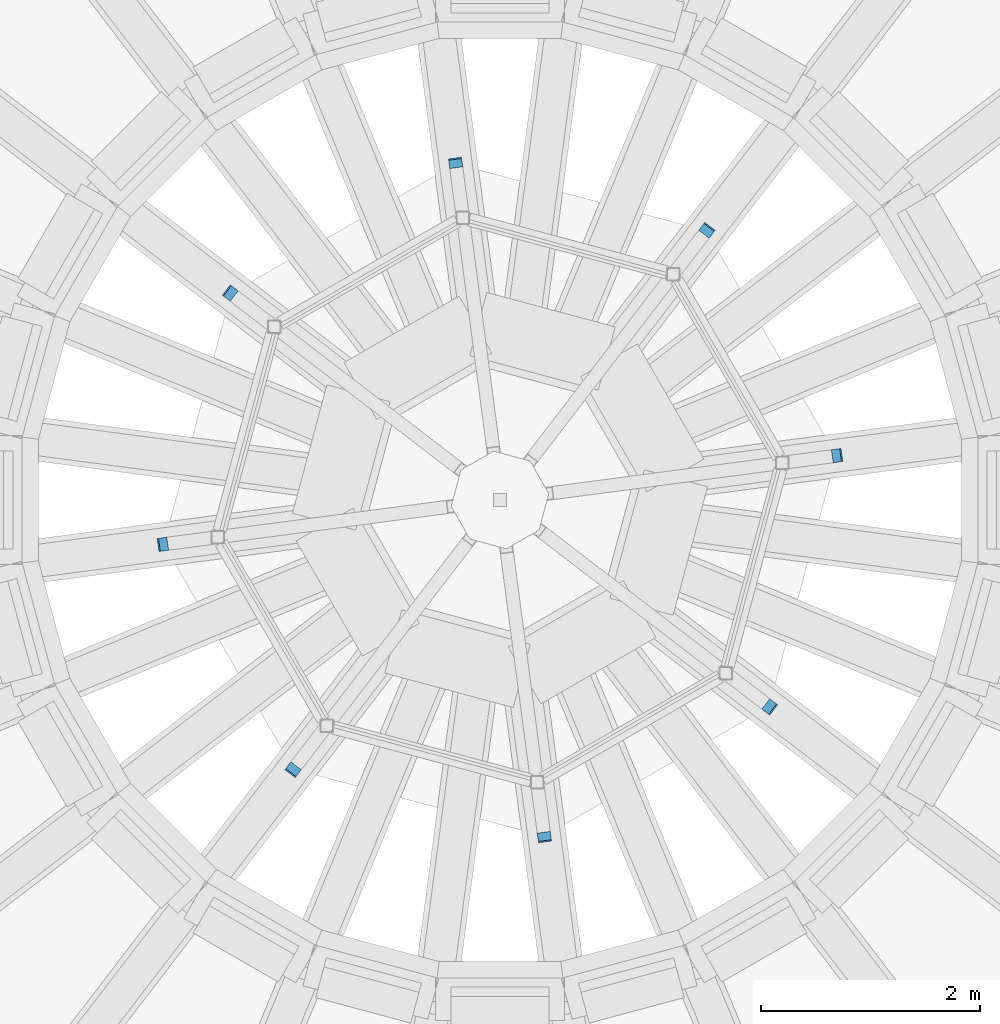
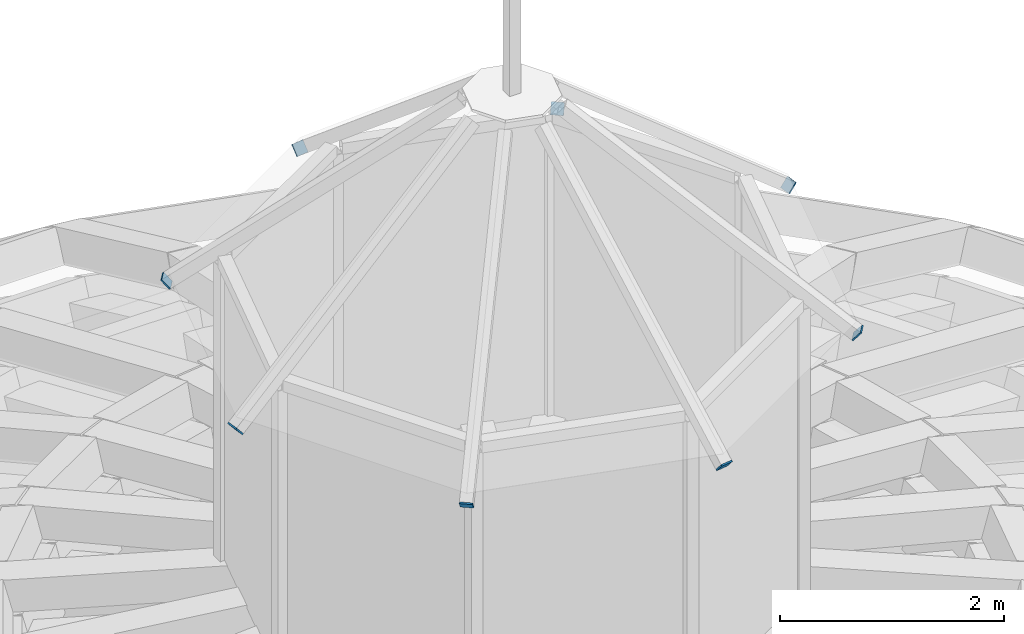
# One storey, part 25 of 29: 8 discrete accessories.
"""IFC4 building model written with IfcOpenShell, lengths in metres."""

from ifc_helpers import new_model, si_unit, direction, frame, origin, origin_2d, place, context, subcontext, project, spatial, rectangle, extrude, material, material_profile, profile_set, type_object, element, save


model = new_model("IFC4")

# Units and contexts
model_context = context("Model", 3, precision=1e-05, world=origin(), true_north=direction((0.0, 1.0)))
body_context = subcontext(model_context, "Body", "Model", "MODEL_VIEW")
ifc_project = project(units=[si_unit("LENGTHUNIT", "METRE"), si_unit("AREAUNIT", "SQUARE_METRE"), si_unit("VOLUMEUNIT", "CUBIC_METRE"), si_unit("PLANEANGLEUNIT", "RADIAN"), si_unit("MASSUNIT", "GRAM", prefix="KILO")], contexts=[model_context])

# Site, building, storey
site_placement = place(None, origin())
site = spatial("IfcSite", under=ifc_project, at=site_placement, CompositionType="ELEMENT")
building_placement = place(site_placement, origin())
building = spatial("IfcBuilding", under=site, at=building_placement, Name="Golden Quay Civic Hall", CompositionType="ELEMENT")
storey_placement = place(building_placement, frame((0.0, 0.0, 27.0)))
storey = spatial("IfcBuildingStorey", under=building, at=storey_placement, Name="L06", CompositionType="ELEMENT", Elevation=27.0)

# Discrete accessories
ifc_material = material(Name="Steel S355", Category="steel")
ifc_material_profile = material_profile(ifc_material, rectangle(XDim=0.1201171875, YDim=0.1201171875, at=origin_2d()), Name="Steel end cap plate 120x120x16")
ifc_profile_set = profile_set([ifc_material_profile], Name="Steel S355")
discrete_accessory_type = type_object("IfcDiscreteAccessoryType", Name="Steel end cap plate 120x120x16", PredefinedType="BRACKET", material=ifc_profile_set)
discrete_accessory_1_placement = place(storey_placement, frame((88.573486328125, 85.904541015625, 12.879150390625), z_axis=(0.761342853089, 0.106587999432, -0.639527996594), x_axis=(-0.138647844534, 0.990341746674, 0.0)))
element("IfcDiscreteAccessory", 1, at=discrete_accessory_1_placement, inside=storey, type_object=discrete_accessory_type, Name="End cap lantern hip rafter 1", PredefinedType="BRACKET", context=body_context, shape_type="SweptSolid", body=[
    extrude(rectangle(XDim=0.1201171875, YDim=0.1201171875, at=origin_2d()), origin(), (0.0, 0.0, 1.0), 0.01611328125),
])
discrete_accessory_2_placement = place(storey_placement, frame((87.38720703125, 87.95947265625, 12.879150390625), z_axis=(0.46373889576, 0.602860564488, -0.649234454064), x_axis=(-0.792623989105, 0.60971076085, 0.0)))
element("IfcDiscreteAccessory", 2, at=discrete_accessory_2_placement, inside=storey, type_object=discrete_accessory_type, Name="End cap lantern hip rafter 2", PredefinedType="BRACKET", context=body_context, shape_type="SweptSolid", body=[
    extrude(rectangle(XDim=0.1201171875, YDim=0.1201171875, at=origin_2d()), origin(), (0.0, 0.0, 1.0), 0.015869140625),
])
discrete_accessory_3_placement = place(storey_placement, frame((85.095458984375, 88.573486328125, 12.879150390625), z_axis=(-0.106587999432, 0.761342853089, -0.639527996594), x_axis=(-0.990341746674, -0.138647844534, 0.0)))
element("IfcDiscreteAccessory", 3, at=discrete_accessory_3_placement, inside=storey, type_object=discrete_accessory_type, Name="End cap lantern hip rafter 3", PredefinedType="BRACKET", context=body_context, shape_type="SweptSolid", body=[
    extrude(rectangle(XDim=0.1201171875, YDim=0.1201171875, at=origin_2d()), origin(), (0.0, 0.0, 1.0), 0.01611328125),
])
discrete_accessory_4_placement = place(storey_placement, frame((83.04052734375, 87.38720703125, 12.879150390625), z_axis=(-0.602860564488, 0.46373889576, -0.649234454064), x_axis=(-0.60971076085, -0.792623989105, 0.0)))
element("IfcDiscreteAccessory", 4, at=discrete_accessory_4_placement, inside=storey, type_object=discrete_accessory_type, Name="End cap lantern hip rafter 4", PredefinedType="BRACKET", context=body_context, shape_type="SweptSolid", body=[
    extrude(rectangle(XDim=0.1201171875, YDim=0.1201171875, at=origin_2d()), origin(), (0.0, 0.0, 1.0), 0.015869140625),
])
discrete_accessory_5_placement = place(storey_placement, frame((82.426513671875, 85.095458984375, 12.879150390625), z_axis=(-0.761342853089, -0.106587999432, -0.639527996594), x_axis=(0.138647844534, -0.990341746674, 0.0)))
element("IfcDiscreteAccessory", 5, at=discrete_accessory_5_placement, inside=storey, type_object=discrete_accessory_type, Name="End cap lantern hip rafter 5", PredefinedType="BRACKET", context=body_context, shape_type="SweptSolid", body=[
    extrude(rectangle(XDim=0.1201171875, YDim=0.1201171875, at=origin_2d()), origin(), (0.0, 0.0, 1.0), 0.01611328125),
])
discrete_accessory_6_placement = place(storey_placement, frame((83.61279296875, 83.04052734375, 12.879150390625), z_axis=(-0.46373889576, -0.602860564488, -0.649234454064), x_axis=(0.792623989105, -0.60971076085, 0.0)))
element("IfcDiscreteAccessory", 6, at=discrete_accessory_6_placement, inside=storey, type_object=discrete_accessory_type, Name="End cap lantern hip rafter 6", PredefinedType="BRACKET", context=body_context, shape_type="SweptSolid", body=[
    extrude(rectangle(XDim=0.1201171875, YDim=0.1201171875, at=origin_2d()), origin(), (0.0, 0.0, 1.0), 0.015869140625),
])
discrete_accessory_7_placement = place(storey_placement, frame((85.904541015625, 82.426513671875, 12.879150390625), z_axis=(0.106587999432, -0.761342853089, -0.639527996594), x_axis=(0.990341746674, 0.138647844534, 0.0)))
element("IfcDiscreteAccessory", 7, at=discrete_accessory_7_placement, inside=storey, type_object=discrete_accessory_type, Name="End cap lantern hip rafter 7", PredefinedType="BRACKET", context=body_context, shape_type="SweptSolid", body=[
    extrude(rectangle(XDim=0.1201171875, YDim=0.1201171875, at=origin_2d()), origin(), (0.0, 0.0, 1.0), 0.01611328125),
])
discrete_accessory_8_placement = place(storey_placement, frame((87.95947265625, 83.61279296875, 12.879150390625), z_axis=(0.602860564488, -0.46373889576, -0.649234454064), x_axis=(0.60971076085, 0.792623989105, 0.0)))
element("IfcDiscreteAccessory", 8, at=discrete_accessory_8_placement, inside=storey, type_object=discrete_accessory_type, Name="End cap lantern hip rafter 8", PredefinedType="BRACKET", context=body_context, shape_type="SweptSolid", body=[
    extrude(rectangle(XDim=0.1201171875, YDim=0.1201171875, at=origin_2d()), origin(), (0.0, 0.0, 1.0), 0.015869140625),
])

save(model, "model.ifc")
